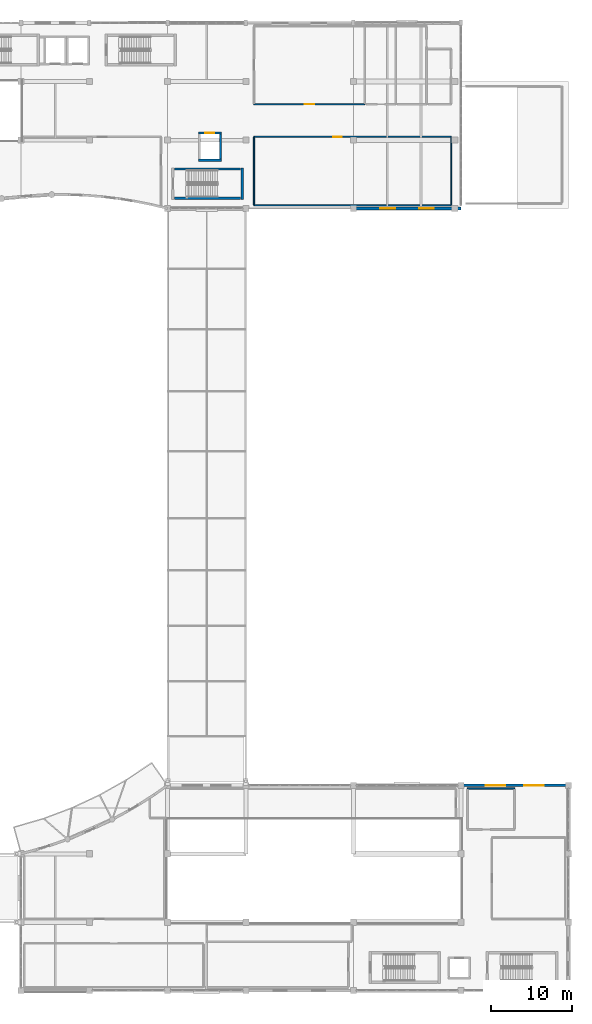
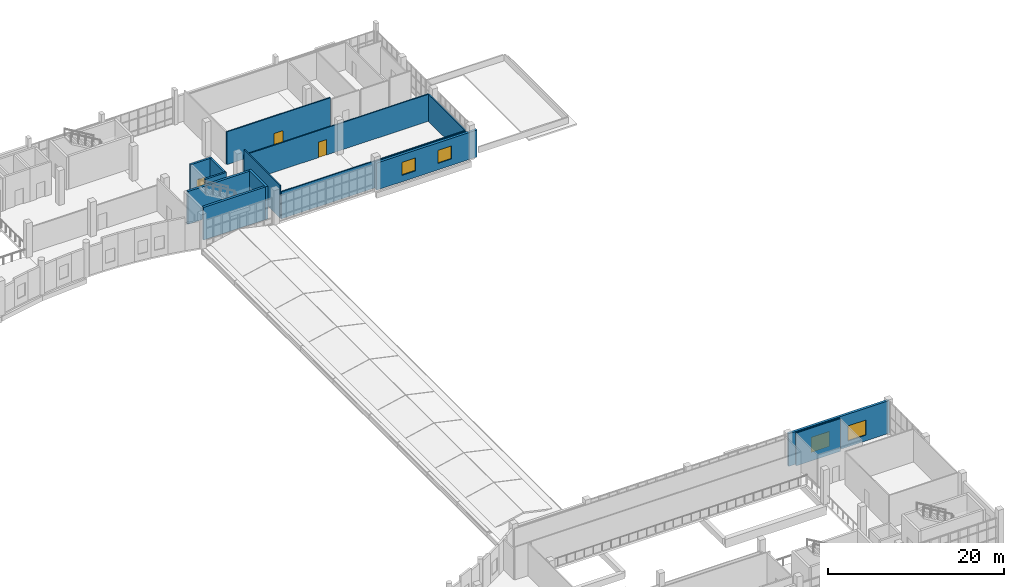
# One storey, part 91 of 106: 14 walls, 4 windows, 3 doors, 7 openings.
"""IFC4 building model written with IfcOpenShell, lengths in metres."""

from ifc_helpers import new_model, si_unit, direction, frame, frame_2d, origin, place, context, subcontext, project, spatial, rectangle, extrude, material, layer, layer_set, type_object, element, fill, save


model = new_model("IFC4")

# Units and contexts
model_context = context("Model", 3, precision=1e-05, world=origin(), true_north=direction((0.0, 1.0)))
body_context = subcontext(model_context, "Body", "Model", "MODEL_VIEW")
ifc_project = project(units=[si_unit("LENGTHUNIT", "METRE"), si_unit("AREAUNIT", "SQUARE_METRE"), si_unit("VOLUMEUNIT", "CUBIC_METRE"), si_unit("PLANEANGLEUNIT", "RADIAN"), si_unit("MASSUNIT", "GRAM", prefix="KILO")], contexts=[model_context])

# Site, building, storey
site_placement = place(None, origin())
site = spatial("IfcSite", under=ifc_project, at=site_placement, CompositionType="ELEMENT")
building_placement = place(site_placement, origin())
building = spatial("IfcBuilding", under=site, at=building_placement, Name="Kisaragi Civic Commons", CompositionType="ELEMENT")
storey_placement = place(building_placement, frame((0.0, 0.0, 4.800048828125)))
storey = spatial("IfcBuildingStorey", under=building, at=storey_placement, Name="L01", CompositionType="ELEMENT", Elevation=4.800048828125)

# Wall, openings, windows
ifc_material_1 = material(Name="Insulated Tokoname terracotta cavity wall", Category="masonry")
ifc_layer_1 = layer(ifc_material_1, 0.320068359375, Name="Insulated Tokoname terracotta cavity wall", Category="masonry")
ifc_layer_set_1 = layer_set([ifc_layer_1], Name="Insulated Tokoname terracotta cavity wall")
wall_type_1 = type_object("IfcWallType", Name="EW-01", PredefinedType="STANDARD", material=ifc_layer_set_1)
wall_1_placement = place(storey_placement, frame((159.60009765625, 25.199951171875, 0.0), z_axis=(0.0, 0.0, 1.0), x_axis=(1.0, 0.0, 0.0)))
wall_1 = element("IfcWall", 1, at=wall_1_placement, inside=storey, type_object=wall_type_1, Name="V3 L01 exterior terracotta wall EW-01 270", PredefinedType="STANDARD", context=body_context, shape_type="SweptSolid", body=[
    extrude(rectangle(XDim=13.199951171875, YDim=0.320068359375, at=frame_2d((6.60009765625, 0.0))), origin(), (0.0, 0.0, 1.0), 4.5400390625),
])
opening_1_placement = place(wall_1_placement, frame((3.02392578125, 0.0, 0.800048828125)))
opening_1 = element("IfcOpeningElement", 2, at=opening_1_placement, cuts=wall_1, Name="Opening W-11", PredefinedType="OPENING", context=body_context, shape_type="SweptSolid", body=[
    extrude(rectangle(XDim=2.39990234375, YDim=2.10009765625, at=frame_2d((1.199951171875, 1.050048828125))), frame((0.0, 0.169921875, 0.0), z_axis=(0.0, -1.0, 0.0), x_axis=(1.0, 0.0, 0.0)), (0.0, 0.0, 1.0), 0.340087890625),
])
opening_2_placement = place(wall_1_placement, frame((7.77587890625, 0.0, 0.800048828125)))
opening_2 = element("IfcOpeningElement", 3, at=opening_2_placement, cuts=wall_1, Name="Opening W-11", PredefinedType="OPENING", context=body_context, shape_type="SweptSolid", body=[
    extrude(rectangle(XDim=2.39990234375, YDim=2.10009765625, at=frame_2d((1.199951171875, 1.050048828125))), frame((0.0, 0.169921875, 0.0), z_axis=(0.0, -1.0, 0.0), x_axis=(1.0, 0.0, 0.0)), (0.0, 0.0, 1.0), 0.340087890625),
])
ifc_material_2 = material(Name="Thermally broken aluminium frame and low-E argon double glazing", Category="aluminium")
window_type_1 = type_object("IfcWindowType", Name="W-11", PartitioningType="SINGLE_PANEL", PredefinedType="WINDOW", material=ifc_material_2)
window_1_placement = place(opening_1_placement, origin())
window_1 = element("IfcWindow", 4, at=window_1_placement, inside=storey, type_object=window_type_1, Name="V3 L01 window W-11 85", OverallHeight=2.10009765625, OverallWidth=2.39990234375, PartitioningType="SINGLE_PANEL", PredefinedType="WINDOW", context=body_context, shape_type="SweptSolid", body=[
    extrude(rectangle(XDim=2.39990234375, YDim=2.10009765625, at=frame_2d((1.199951171875, 1.050048828125))), frame((0.0, 0.030029296875, 0.0), z_axis=(0.0, -1.0, 0.0), x_axis=(1.0, 0.0, 0.0)), (0.0, 0.0, 1.0), 0.06005859375),
])
fill(opening_1, window_1)
window_2_placement = place(opening_2_placement, origin())
window_2 = element("IfcWindow", 5, at=window_2_placement, inside=storey, type_object=window_type_1, Name="V3 L01 window W-11 86", OverallHeight=2.10009765625, OverallWidth=2.39990234375, PartitioningType="SINGLE_PANEL", PredefinedType="WINDOW", context=body_context, shape_type="SweptSolid", body=[
    extrude(rectangle(XDim=2.39990234375, YDim=2.10009765625, at=frame_2d((1.199951171875, 1.050048828125))), frame((0.0, 0.030029296875, 0.0), z_axis=(0.0, -1.0, 0.0), x_axis=(1.0, 0.0, 0.0)), (0.0, 0.0, 1.0), 0.06005859375),
])
fill(opening_2, window_2)

wall_2_placement = place(storey_placement, frame((159.60009765625, 96.0, 0.0), z_axis=(0.0, 0.0, 1.0), x_axis=(-1.0, 0.0, 0.0)))
wall_2 = element("IfcWall", 6, at=wall_2_placement, inside=storey, type_object=wall_type_1, Name="V4 L01 exterior terracotta wall EW-01 318", PredefinedType="STANDARD", context=body_context, shape_type="SweptSolid", body=[
    extrude(rectangle(XDim=13.2001953125, YDim=0.320068359375, at=frame_2d((6.60009765625, 0.0))), origin(), (0.0, 0.0, 1.0), 3.7548828125),
])
opening_3_placement = place(wall_2_placement, frame((3.323974609375, 0.0, 0.89990234375)))
opening_3 = element("IfcOpeningElement", 7, at=opening_3_placement, cuts=wall_2, Name="Opening W-01", PredefinedType="OPENING", context=body_context, shape_type="SweptSolid", body=[
    extrude(rectangle(XDim=1.800048828125, YDim=1.800048828125, at=frame_2d((0.89990234375, 0.89990234375))), frame((0.0, 0.169921875, 0.0), z_axis=(0.0, -1.0, 0.0), x_axis=(1.0, 0.0, 0.0)), (0.0, 0.0, 1.0), 0.340087890625),
])
opening_4_placement = place(wall_2_placement, frame((8.075927734375, 0.0, 0.89990234375)))
opening_4 = element("IfcOpeningElement", 8, at=opening_4_placement, cuts=wall_2, Name="Opening W-01", PredefinedType="OPENING", context=body_context, shape_type="SweptSolid", body=[
    extrude(rectangle(XDim=1.800048828125, YDim=1.800048828125, at=frame_2d((0.89990234375, 0.89990234375))), frame((0.0, 0.169921875, 0.0), z_axis=(0.0, -1.0, 0.0), x_axis=(1.0, 0.0, 0.0)), (0.0, 0.0, 1.0), 0.340087890625),
])
window_type_2 = type_object("IfcWindowType", Name="W-01", PartitioningType="SINGLE_PANEL", PredefinedType="WINDOW", material=ifc_material_2)
window_3_placement = place(opening_3_placement, origin())
window_3 = element("IfcWindow", 9, at=window_3_placement, inside=storey, type_object=window_type_2, Name="V4 L01 window W-01 106", OverallHeight=1.800048828125, OverallWidth=1.800048828125, PartitioningType="SINGLE_PANEL", PredefinedType="WINDOW", context=body_context, shape_type="SweptSolid", body=[
    extrude(rectangle(XDim=1.800048828125, YDim=1.800048828125, at=frame_2d((0.89990234375, 0.89990234375))), frame((0.0, 0.030029296875, 0.0), z_axis=(0.0, -1.0, 0.0), x_axis=(1.0, 0.0, 0.0)), (0.0, 0.0, 1.0), 0.06005859375),
])
fill(opening_3, window_3)
window_4_placement = place(opening_4_placement, origin())
window_4 = element("IfcWindow", 10, at=window_4_placement, inside=storey, type_object=window_type_2, Name="V4 L01 window W-01 107", OverallHeight=1.800048828125, OverallWidth=1.800048828125, PartitioningType="SINGLE_PANEL", PredefinedType="WINDOW", context=body_context, shape_type="SweptSolid", body=[
    extrude(rectangle(XDim=1.800048828125, YDim=1.800048828125, at=frame_2d((0.89990234375, 0.89990234375))), frame((0.0, 0.030029296875, 0.0), z_axis=(0.0, -1.0, 0.0), x_axis=(1.0, 0.0, 0.0)), (0.0, 0.0, 1.0), 0.06005859375),
])
fill(opening_4, window_4)

# Walls
ifc_material_3 = material(Name="Acoustic gypsum board on light-gauge steel studs", Category="steel")
ifc_layer_2 = layer(ifc_material_3, 0.14990234375, Name="Acoustic gypsum board on light-gauge steel studs", Category="steel")
ifc_layer_set_2 = layer_set([ifc_layer_2], Name="Acoustic gypsum board on light-gauge steel studs")
wall_type_2 = type_object("IfcWallType", Name="IW-01", PredefinedType="STANDARD", material=ifc_layer_set_2)
wall_3_placement = place(storey_placement, frame((158.39990234375, 104.72509765625, 0.0), z_axis=(0.0, 0.0, 1.0), x_axis=(0.0, -1.0, 0.0)))
element("IfcWall", 11, at=wall_3_placement, inside=storey, type_object=wall_type_2, Name="L01 W1-06 partition IW-01 275", PredefinedType="STANDARD", context=body_context, shape_type="SweptSolid", body=[
    extrude(rectangle(XDim=8.25, YDim=0.14990234375, at=frame_2d((4.125, 0.0))), origin(), (0.0, 0.0, 1.0), 3.7548828125),
])
wall_4_placement = place(storey_placement, frame((158.39501953125, 96.39990234375, 0.0), z_axis=(0.0, 0.0, 1.0), x_axis=(-1.0, 0.0, 0.0)))
element("IfcWall", 12, at=wall_4_placement, inside=storey, type_object=wall_type_2, Name="L01 W1-06 partition IW-01 276", PredefinedType="STANDARD", context=body_context, shape_type="SweptSolid", body=[
    extrude(rectangle(XDim=24.18994140625, YDim=0.14990234375, at=frame_2d((12.094970703125, 0.0))), origin(), (0.0, 0.0, 1.0), 3.7548828125),
])
wall_5_placement = place(storey_placement, frame((134.199951171875, 96.47509765625, 0.0), z_axis=(0.0, 0.0, 1.0), x_axis=(0.0, 1.0, 0.0)))
element("IfcWall", 13, at=wall_5_placement, inside=storey, type_object=wall_type_2, Name="L01 W1-06 partition IW-01 277", PredefinedType="STANDARD", context=body_context, shape_type="SweptSolid", body=[
    extrude(rectangle(XDim=8.25, YDim=0.14990234375, at=frame_2d((4.125, 0.0))), origin(), (0.0, 0.0, 1.0), 4.5400390625),
])

# Wall, opening, door
wall_6_placement = place(storey_placement, frame((134.205078125, 104.800048828125, 0.0), z_axis=(0.0, 0.0, 1.0), x_axis=(1.0, 0.0, 0.0)))
wall_6 = element("IfcWall", 14, at=wall_6_placement, inside=storey, type_object=wall_type_2, Name="L01 W1-06 partition IW-01 278", PredefinedType="STANDARD", context=body_context, shape_type="SweptSolid", body=[
    extrude(rectangle(XDim=24.18994140625, YDim=0.14990234375, at=frame_2d((12.094970703125, 0.0))), origin(), (0.0, 0.0, 1.0), 3.7548828125),
])
opening_5_placement = place(wall_6_placement, frame((9.71875, 0.0, 0.0)))
opening_5 = element("IfcOpeningElement", 15, at=opening_5_placement, cuts=wall_6, Name="Opening ID-03", PredefinedType="OPENING", context=body_context, shape_type="SweptSolid", body=[
    extrude(rectangle(XDim=1.050048828125, YDim=2.14990234375, at=frame_2d((0.52490234375, 1.074951171875))), frame((0.0, 0.0849609375, 0.0), z_axis=(0.0, -1.0, 0.0), x_axis=(1.0, 0.0, 0.0)), (0.0, 0.0, 1.0), 0.169921875),
])
ifc_material_4 = material(Name="Solid-core Japanese ash acoustic flush timber leaf in steel frame", Category="steel")
door_type_1 = type_object("IfcDoorType", Name="ID-03", OperationType="NOTDEFINED", PredefinedType="DOOR", material=ifc_material_4)
door_1_placement = place(opening_5_placement, origin())
door_1 = element("IfcDoor", 16, at=door_1_placement, inside=storey, type_object=door_type_1, Name="Digital Media Study Room door ID-03", OperationType="SINGLE_SWING_RIGHT", OverallHeight=2.14990234375, OverallWidth=1.050048828125, PredefinedType="DOOR", context=body_context, shape_type="SweptSolid", body=[
    extrude(rectangle(XDim=1.050048828125, YDim=2.14990234375, at=frame_2d((0.52490234375, 1.074951171875))), frame((0.0, 0.02490234375, 0.0), z_axis=(0.0, -1.0, 0.0), x_axis=(1.0, 0.0, 0.0)), (0.0, 0.0, 1.0), 0.050048828125),
])
fill(opening_5, door_1)

# Wall
ifc_material_5 = material(Name="Cementitious tile-backer board on galvanized steel studs", Category="steel")
ifc_layer_3 = layer(ifc_material_5, 0.16796875, Name="Cementitious tile-backer board on galvanized steel studs", Category="steel")
ifc_layer_set_3 = layer_set([ifc_layer_3], Name="Cementitious tile-backer board on galvanized steel studs")
wall_type_3 = type_object("IfcWallType", Name="IW-03", PredefinedType="STANDARD", material=ifc_layer_set_3)
wall_7_placement = place(storey_placement, frame((160.405029296875, 24.800048828125, 0.0), z_axis=(0.0, 0.0, 1.0), x_axis=(1.0, 0.0, 0.0)))
element("IfcWall", 17, at=wall_7_placement, inside=storey, type_object=wall_type_3, Name="L01 D1-06 partition IW-03 259", PredefinedType="STANDARD", context=body_context, shape_type="SweptSolid", body=[
    extrude(rectangle(XDim=5.7900390625, YDim=0.16796875, at=frame_2d((2.89501953125, 0.0))), origin(), (0.0, 0.0, 1.0), 4.5400390625),
])

# Wall, opening, door
ifc_material_6 = material(Name="Slatted Mikawa hinoki acoustic timber partition", Category="wood")
ifc_layer_4 = layer(ifc_material_6, 0.159912109375, Name="Slatted Mikawa hinoki acoustic timber partition", Category="wood")
ifc_layer_set_4 = layer_set([ifc_layer_4], Name="Slatted Mikawa hinoki acoustic timber partition")
wall_type_4 = type_object("IfcWallType", Name="IW-06", PredefinedType="STANDARD", material=ifc_layer_set_4)
wall_8_placement = place(storey_placement, frame((147.794921875, 108.800048828125, 0.0), z_axis=(0.0, 0.0, 1.0), x_axis=(-1.0, 0.0, 0.0)))
wall_8 = element("IfcWall", 18, at=wall_8_placement, inside=storey, type_object=wall_type_4, Name="L01 W1-07 partition IW-06 280", PredefinedType="STANDARD", context=body_context, shape_type="SweptSolid", body=[
    extrude(rectangle(XDim=13.58984375, YDim=0.159912109375, at=frame_2d((6.794921875, 0.0))), origin(), (0.0, 0.0, 1.0), 4.5400390625),
])
opening_6_placement = place(wall_8_placement, frame((6.219970703125, 0.0, 0.0)))
opening_6 = element("IfcOpeningElement", 19, at=opening_6_placement, cuts=wall_8, Name="Opening ID-04", PredefinedType="OPENING", context=body_context, shape_type="SweptSolid", body=[
    extrude(rectangle(XDim=1.14990234375, YDim=2.14990234375, at=frame_2d((0.574951171875, 1.074951171875))), frame((0.0, 0.08984375, 0.0), z_axis=(0.0, -1.0, 0.0), x_axis=(1.0, 0.0, 0.0)), (0.0, 0.0, 1.0), 0.179931640625),
])
door_type_2 = type_object("IfcDoorType", Name="ID-04", OperationType="NOTDEFINED", PredefinedType="DOOR", material=ifc_material_4)
door_2_placement = place(opening_6_placement, origin())
door_2 = element("IfcDoor", 20, at=door_2_placement, inside=storey, type_object=door_type_2, Name="Quiet Reading Carrels door ID-04", OperationType="SINGLE_SWING_LEFT", OverallHeight=2.14990234375, OverallWidth=1.14990234375, PredefinedType="DOOR", context=body_context, shape_type="SweptSolid", body=[
    extrude(rectangle(XDim=1.14990234375, YDim=2.14990234375, at=frame_2d((0.574951171875, 1.074951171875))), frame((0.0, 0.02490234375, 0.0), z_axis=(0.0, -1.0, 0.0), x_axis=(1.0, 0.0, 0.0)), (0.0, 0.0, 1.0), 0.050048828125),
])
fill(opening_6, door_2)

# Walls
ifc_material_7 = material(Name="Concrete Fc36", Category="concrete")
ifc_layer_5 = layer(ifc_material_7, 0.300048828125, Name="Concrete Fc36", Category="concrete")
ifc_layer_set_5 = layer_set([ifc_layer_5], Name="Concrete Fc36")
wall_type_5 = type_object("IfcWallType", Name="SW-01", PredefinedType="SHEAR", material=ifc_layer_set_5)
wall_9_placement = place(storey_placement, frame((124.449951171875, 97.25, 0.0), z_axis=(0.0, 0.0, 1.0), x_axis=(1.0, 0.0, 0.0)))
element("IfcWall", 21, at=wall_9_placement, inside=storey, type_object=wall_type_5, Name="ST-L3 L01 right RC shear wall", PredefinedType="SHEAR", context=body_context, shape_type="SweptSolid", body=[
    extrude(rectangle(XDim=8.10009765625, YDim=0.300048828125, at=frame_2d((4.050048828125, 0.0))), origin(), (0.0, 0.0, 1.0), 4.5400390625),
])
wall_10_placement = place(storey_placement, frame((132.75, 97.10009765625, 0.0), z_axis=(0.0, 0.0, 1.0), x_axis=(0.0, 1.0, 0.0)))
element("IfcWall", 22, at=wall_10_placement, inside=storey, type_object=wall_type_5, Name="ST-L3 L01 far RC shear wall", PredefinedType="SHEAR", context=body_context, shape_type="SweptSolid", body=[
    extrude(rectangle(XDim=3.89990234375, YDim=0.300048828125, at=frame_2d((1.949951171875, 0.0))), origin(), (0.0, 0.0, 1.0), 4.5400390625),
])
wall_11_placement = place(storey_placement, frame((132.550048828125, 100.85009765625, 0.0), z_axis=(0.0, 0.0, 1.0), x_axis=(-1.0, 0.0, 0.0)))
element("IfcWall", 23, at=wall_11_placement, inside=storey, type_object=wall_type_5, Name="ST-L3 L01 left RC shear wall", PredefinedType="SHEAR", context=body_context, shape_type="SweptSolid", body=[
    extrude(rectangle(XDim=8.10009765625, YDim=0.300048828125, at=frame_2d((4.050048828125, 0.0))), origin(), (0.0, 0.0, 1.0), 4.5400390625),
])
ifc_layer_6 = layer(ifc_material_7, 0.25, Name="Concrete Fc36", Category="concrete")
ifc_layer_set_6 = layer_set([ifc_layer_6], Name="Concrete Fc36")
wall_type_6 = type_object("IfcWallType", Name="SW-02", PredefinedType="SHEAR", material=ifc_layer_set_6)
wall_12_placement = place(storey_placement, frame((130.199951171875, 101.925048828125, 0.0), z_axis=(0.0, 0.0, 1.0), x_axis=(-1.0, 0.0, 0.0)))
element("IfcWall", 24, at=wall_12_placement, inside=storey, type_object=wall_type_6, Name="EL-L3 L01 south lift shaft wall", PredefinedType="SHEAR", context=body_context, shape_type="SweptSolid", body=[
    extrude(rectangle(XDim=2.800048828125, YDim=0.25, at=frame_2d((1.39990234375, 0.0))), origin(), (0.0, 0.0, 1.0), 4.5400390625),
])

# Wall, opening, door
wall_13_placement = place(storey_placement, frame((127.39990234375, 105.27490234375, 0.0), z_axis=(0.0, 0.0, 1.0), x_axis=(1.0, 0.0, 0.0)))
wall_13 = element("IfcWall", 25, at=wall_13_placement, inside=storey, type_object=wall_type_6, Name="EL-L3 L01 north lift shaft wall", PredefinedType="SHEAR", context=body_context, shape_type="SweptSolid", body=[
    extrude(rectangle(XDim=2.800048828125, YDim=0.25, at=frame_2d((1.39990234375, 0.0))), origin(), (0.0, 0.0, 1.0), 4.5400390625),
])
opening_7_placement = place(wall_13_placement, frame((0.85009765625, 0.0, 0.0)))
opening_7 = element("IfcOpeningElement", 26, at=opening_7_placement, cuts=wall_13, Name="Opening LD-01", PredefinedType="OPENING", context=body_context, shape_type="SweptSolid", body=[
    extrude(rectangle(XDim=1.10009765625, YDim=2.14990234375, at=frame_2d((0.550048828125, 1.074951171875))), frame((0.0, 0.135009765625, 0.0), z_axis=(0.0, -1.0, 0.0), x_axis=(1.0, 0.0, 0.0)), (0.0, 0.0, 1.0), 0.27001953125),
])
ifc_material_8 = material(Name="Brushed stainless steel bi-parting landing door", Category="steel")
door_type_3 = type_object("IfcDoorType", Name="LD-01", OperationType="NOTDEFINED", PredefinedType="DOOR", material=ifc_material_8)
door_3_placement = place(opening_7_placement, origin())
door_3 = element("IfcDoor", 27, at=door_3_placement, inside=storey, type_object=door_type_3, Name="EL-L3 L01 sliding lift landing door", OperationType="DOUBLE_DOOR_SLIDING", OverallHeight=2.14990234375, OverallWidth=1.10009765625, PredefinedType="DOOR", context=body_context, shape_type="SweptSolid", body=[
    extrude(rectangle(XDim=1.10009765625, YDim=2.14990234375, at=frame_2d((0.550048828125, 1.074951171875))), frame((0.0, 0.02490234375, 0.0), z_axis=(0.0, -1.0, 0.0), x_axis=(1.0, 0.0, 0.0)), (0.0, 0.0, 1.0), 0.050048828125),
])
fill(opening_7, door_3)

# Wall
wall_14_placement = place(storey_placement, frame((130.074951171875, 105.1298828125, 0.0), z_axis=(0.0, 0.0, 1.0), x_axis=(0.0, -1.0, 0.0)))
element("IfcWall", 28, at=wall_14_placement, inside=storey, type_object=wall_type_6, Name="EL-L3 L01 east lift shaft wall", PredefinedType="SHEAR", context=body_context, shape_type="SweptSolid", body=[
    extrude(rectangle(XDim=3.059814453125, YDim=0.25, at=frame_2d((1.52978515625, 0.0))), origin(), (0.0, 0.0, 1.0), 4.5400390625),
])

save(model, "model.ifc")
